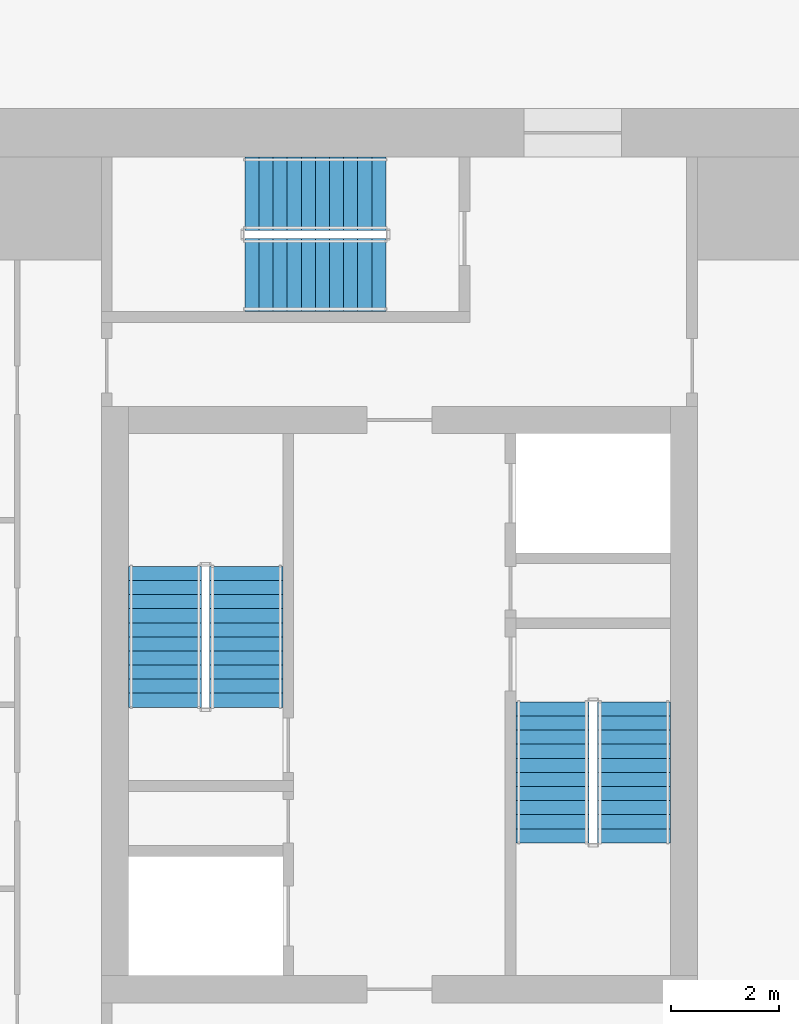
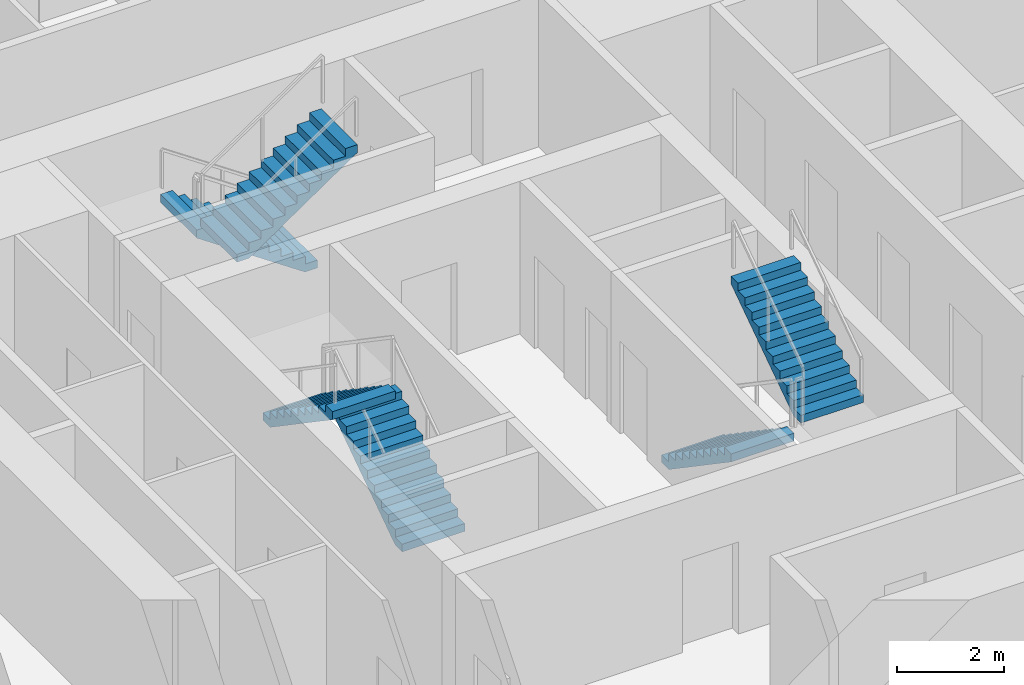
# One storey, part 9 of 15: 6 stair flights, 3 elements without a shape of their own.
"""IFC4 building model written with IfcOpenShell, lengths in metres."""

from ifc_helpers import new_model, si_unit, direction, frame, origin, place, context, subcontext, project, spatial, polyline, outline, extrude, material, type_object, element, aggregate, save


model = new_model("IFC4")

# Units and contexts
model_context = context("Model", 3, precision=1e-05, world=origin(), true_north=direction((0.0, 1.0)))
body_context = subcontext(model_context, "Body", "Model", "MODEL_VIEW")
ifc_project = project(units=[si_unit("LENGTHUNIT", "METRE"), si_unit("AREAUNIT", "SQUARE_METRE"), si_unit("VOLUMEUNIT", "CUBIC_METRE"), si_unit("PLANEANGLEUNIT", "RADIAN"), si_unit("MASSUNIT", "GRAM", prefix="KILO")], contexts=[model_context])

# Site, building, storey
site_placement = place(None, origin())
site = spatial("IfcSite", under=ifc_project, at=site_placement, CompositionType="ELEMENT")
building_placement = place(site_placement, origin())
building = spatial("IfcBuilding", under=site, at=building_placement, Name="Khepri Terraces", CompositionType="ELEMENT")
storey_placement = place(building_placement, frame((0.0, 0.0, 200.10009765625)))
storey = spatial("IfcBuildingStorey", under=building, at=storey_placement, Name="L47", CompositionType="ELEMENT", Elevation=200.10009765625)

# Stair, stair flights
ifc_material = material(Name="Concrete C40/50", Category="concrete")
stair_type = type_object("IfcStairType", Name="STAIR-RC-22R", PredefinedType="HALF_TURN_STAIR", material=ifc_material)
stair_1_placement = place(storey_placement, origin())
stair_1 = element("IfcStair", 1, at=stair_1_placement, inside=storey, type_object=stair_type, Name="L47 Exit Stair ST-1", PredefinedType="HALF_TURN_STAIR")
stair_flight_type = type_object("IfcStairFlightType", Name="SFL-RC-177.3", PredefinedType="STRAIGHT", material=ifc_material)
stair_flight_1_placement = place(storey_placement, frame((-2.824951171875, -0.050048828125, 0.0), z_axis=(0.0, 0.0, 1.0), x_axis=(0.0, 1.0, 0.0)))
stair_flight_1 = element("IfcStairFlight", 2, at=stair_flight_1_placement, type_object=stair_flight_type, Name="ST-1 flight 1", NumberOfRisers=11, NumberOfTreads=10, PredefinedType="STRAIGHT", RiserHeight=0.177272727, TreadLength=0.26, context=body_context, shape_type="SweptSolid", body=[
    extrude(outline(polyline([(0.0, 0.0), (0.0, 0.17724609375), (0.260009765625, 0.17724609375), (0.260009765625, 0.3544921875), (0.52001953125, 0.3544921875), (0.52001953125, 0.53173828125), (0.780029296875, 0.53173828125), (0.780029296875, 0.708984375), (1.0400390625, 0.708984375), (1.0400390625, 0.886474609375), (1.300048828125, 0.886474609375), (1.300048828125, 1.063720703125), (1.56005859375, 1.063720703125), (1.56005859375, 1.240966796875), (1.820068359375, 1.240966796875), (1.820068359375, 1.418212890625), (2.080078125, 1.418212890625), (2.080078125, 1.595458984375), (2.340087890625, 1.595458984375), (2.340087890625, 1.772705078125), (2.60009765625, 1.772705078125), (2.60009765625, 1.949951171875), (2.60009765625, 1.59130859375), (0.26611328125, 0.0), (0.0, 0.0)])), frame((0.0, 0.675048828125, 0.0), z_axis=(0.0, -1.0, 0.0), x_axis=(1.0, 0.0, 0.0)), (0.0, 0.0, 1.0), 1.35009765625),
])
stair_flight_2_placement = place(storey_placement, frame((-4.324951171875, 2.550048828125, 1.949951171875), z_axis=(0.0, 0.0, 1.0), x_axis=(0.0, -1.0, 0.0)))
stair_flight_2 = element("IfcStairFlight", 3, at=stair_flight_2_placement, type_object=stair_flight_type, Name="ST-1 flight 2", NumberOfRisers=11, NumberOfTreads=10, PredefinedType="STRAIGHT", RiserHeight=0.177272727, TreadLength=0.26, context=body_context, shape_type="SweptSolid", body=[
    extrude(outline(polyline([(0.0, 0.0), (0.0, 0.17724609375), (0.260009765625, 0.17724609375), (0.260009765625, 0.3544921875), (0.52001953125, 0.3544921875), (0.52001953125, 0.53173828125), (0.780029296875, 0.53173828125), (0.780029296875, 0.708984375), (1.0400390625, 0.708984375), (1.0400390625, 0.886474609375), (1.300048828125, 0.886474609375), (1.300048828125, 1.063720703125), (1.56005859375, 1.063720703125), (1.56005859375, 1.240966796875), (1.820068359375, 1.240966796875), (1.820068359375, 1.418212890625), (2.080078125, 1.418212890625), (2.080078125, 1.595458984375), (2.340087890625, 1.595458984375), (2.340087890625, 1.772705078125), (2.60009765625, 1.772705078125), (2.60009765625, 1.949951171875), (2.60009765625, 1.59130859375), (0.26611328125, 0.0), (0.0, 0.0)])), frame((0.0, 0.675048828125, 0.0), z_axis=(0.0, -1.0, 0.0), x_axis=(1.0, 0.0, 0.0)), (0.0, 0.0, 1.0), 1.35009765625),
])
aggregate(stair_1, [stair_flight_1, stair_flight_2])

stair_2_placement = place(storey_placement, origin())
stair_2 = element("IfcStair", 4, at=stair_2_placement, inside=storey, type_object=stair_type, Name="L47 Exit Stair ST-2", PredefinedType="HALF_TURN_STAIR")
stair_flight_3_placement = place(storey_placement, frame((2.824951171875, 0.050048828125, 0.0), z_axis=(0.0, 0.0, 1.0), x_axis=(0.0, -1.0, 0.0)))
stair_flight_3 = element("IfcStairFlight", 5, at=stair_flight_3_placement, type_object=stair_flight_type, Name="ST-2 flight 1", NumberOfRisers=11, NumberOfTreads=10, PredefinedType="STRAIGHT", RiserHeight=0.177272727, TreadLength=0.26, context=body_context, shape_type="SweptSolid", body=[
    extrude(outline(polyline([(0.0, 0.0), (0.0, 0.17724609375), (0.260009765625, 0.17724609375), (0.260009765625, 0.3544921875), (0.52001953125, 0.3544921875), (0.52001953125, 0.53173828125), (0.780029296875, 0.53173828125), (0.780029296875, 0.708984375), (1.0400390625, 0.708984375), (1.0400390625, 0.886474609375), (1.300048828125, 0.886474609375), (1.300048828125, 1.063720703125), (1.56005859375, 1.063720703125), (1.56005859375, 1.240966796875), (1.820068359375, 1.240966796875), (1.820068359375, 1.418212890625), (2.080078125, 1.418212890625), (2.080078125, 1.595458984375), (2.340087890625, 1.595458984375), (2.340087890625, 1.772705078125), (2.60009765625, 1.772705078125), (2.60009765625, 1.949951171875), (2.60009765625, 1.59130859375), (0.26611328125, 0.0), (0.0, 0.0)])), frame((0.0, 0.675048828125, 0.0), z_axis=(0.0, -1.0, 0.0), x_axis=(1.0, 0.0, 0.0)), (0.0, 0.0, 1.0), 1.35009765625),
])
stair_flight_4_placement = place(storey_placement, frame((4.324951171875, -2.550048828125, 1.949951171875), z_axis=(0.0, 0.0, 1.0), x_axis=(0.0, 1.0, 0.0)))
stair_flight_4 = element("IfcStairFlight", 6, at=stair_flight_4_placement, type_object=stair_flight_type, Name="ST-2 flight 2", NumberOfRisers=11, NumberOfTreads=10, PredefinedType="STRAIGHT", RiserHeight=0.177272727, TreadLength=0.26, context=body_context, shape_type="SweptSolid", body=[
    extrude(outline(polyline([(0.0, 0.0), (0.0, 0.17724609375), (0.260009765625, 0.17724609375), (0.260009765625, 0.3544921875), (0.52001953125, 0.3544921875), (0.52001953125, 0.53173828125), (0.780029296875, 0.53173828125), (0.780029296875, 0.708984375), (1.0400390625, 0.708984375), (1.0400390625, 0.886474609375), (1.300048828125, 0.886474609375), (1.300048828125, 1.063720703125), (1.56005859375, 1.063720703125), (1.56005859375, 1.240966796875), (1.820068359375, 1.240966796875), (1.820068359375, 1.418212890625), (2.080078125, 1.418212890625), (2.080078125, 1.595458984375), (2.340087890625, 1.595458984375), (2.340087890625, 1.772705078125), (2.60009765625, 1.772705078125), (2.60009765625, 1.949951171875), (2.60009765625, 1.59130859375), (0.26611328125, 0.0), (0.0, 0.0)])), frame((0.0, 0.675048828125, 0.0), z_axis=(0.0, -1.0, 0.0), x_axis=(1.0, 0.0, 0.0)), (0.0, 0.0, 1.0), 1.35009765625),
])
aggregate(stair_2, [stair_flight_3, stair_flight_4])

stair_3_placement = place(storey_placement, origin())
stair_3 = element("IfcStair", 7, at=stair_3_placement, inside=storey, type_object=stair_type, Name="L47 Exit Stair ST-3", PredefinedType="HALF_TURN_STAIR")
stair_flight_5_placement = place(storey_placement, frame((-0.25, 9.425048828125, 0.0), z_axis=(0.0, 0.0, 1.0), x_axis=(-1.0, 0.0, 0.0)))
stair_flight_5 = element("IfcStairFlight", 8, at=stair_flight_5_placement, type_object=stair_flight_type, Name="ST-3 flight 1", NumberOfRisers=11, NumberOfTreads=10, PredefinedType="STRAIGHT", RiserHeight=0.177272727, TreadLength=0.26, context=body_context, shape_type="SweptSolid", body=[
    extrude(outline(polyline([(0.0, 0.0), (0.0, 0.17724609375), (0.260009765625, 0.17724609375), (0.260009765625, 0.3544921875), (0.52001953125, 0.3544921875), (0.52001953125, 0.53173828125), (0.780029296875, 0.53173828125), (0.780029296875, 0.708984375), (1.0400390625, 0.708984375), (1.0400390625, 0.886474609375), (1.300048828125, 0.886474609375), (1.300048828125, 1.063720703125), (1.56005859375, 1.063720703125), (1.56005859375, 1.240966796875), (1.820068359375, 1.240966796875), (1.820068359375, 1.418212890625), (2.080078125, 1.418212890625), (2.080078125, 1.595458984375), (2.340087890625, 1.595458984375), (2.340087890625, 1.772705078125), (2.60009765625, 1.772705078125), (2.60009765625, 1.949951171875), (2.60009765625, 1.59130859375), (0.26611328125, 0.0), (0.0, 0.0)])), frame((0.0, 0.675048828125, 0.0), z_axis=(0.0, -1.0, 0.0), x_axis=(1.0, 0.0, 0.0)), (0.0, 0.0, 1.0), 1.35009765625),
])
stair_flight_6_placement = place(storey_placement, frame((-2.85009765625, 7.925048828125, 1.949951171875), z_axis=(0.0, 0.0, 1.0), x_axis=(1.0, 0.0, 0.0)))
stair_flight_6 = element("IfcStairFlight", 9, at=stair_flight_6_placement, type_object=stair_flight_type, Name="ST-3 flight 2", NumberOfRisers=11, NumberOfTreads=10, PredefinedType="STRAIGHT", RiserHeight=0.177272727, TreadLength=0.26, context=body_context, shape_type="SweptSolid", body=[
    extrude(outline(polyline([(0.0, 0.0), (0.0, 0.17724609375), (0.260009765625, 0.17724609375), (0.260009765625, 0.3544921875), (0.52001953125, 0.3544921875), (0.52001953125, 0.53173828125), (0.780029296875, 0.53173828125), (0.780029296875, 0.708984375), (1.0400390625, 0.708984375), (1.0400390625, 0.886474609375), (1.300048828125, 0.886474609375), (1.300048828125, 1.063720703125), (1.56005859375, 1.063720703125), (1.56005859375, 1.240966796875), (1.820068359375, 1.240966796875), (1.820068359375, 1.418212890625), (2.080078125, 1.418212890625), (2.080078125, 1.595458984375), (2.340087890625, 1.595458984375), (2.340087890625, 1.772705078125), (2.60009765625, 1.772705078125), (2.60009765625, 1.949951171875), (2.60009765625, 1.59130859375), (0.26611328125, 0.0), (0.0, 0.0)])), frame((0.0, 0.675048828125, 0.0), z_axis=(0.0, -1.0, 0.0), x_axis=(1.0, 0.0, 0.0)), (0.0, 0.0, 1.0), 1.35009765625),
])
aggregate(stair_3, [stair_flight_5, stair_flight_6])

save(model, "model.ifc")
